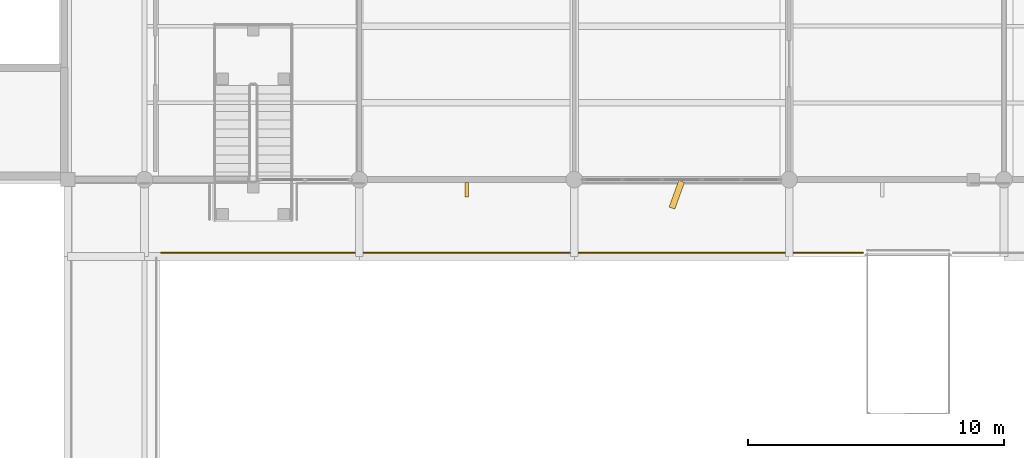
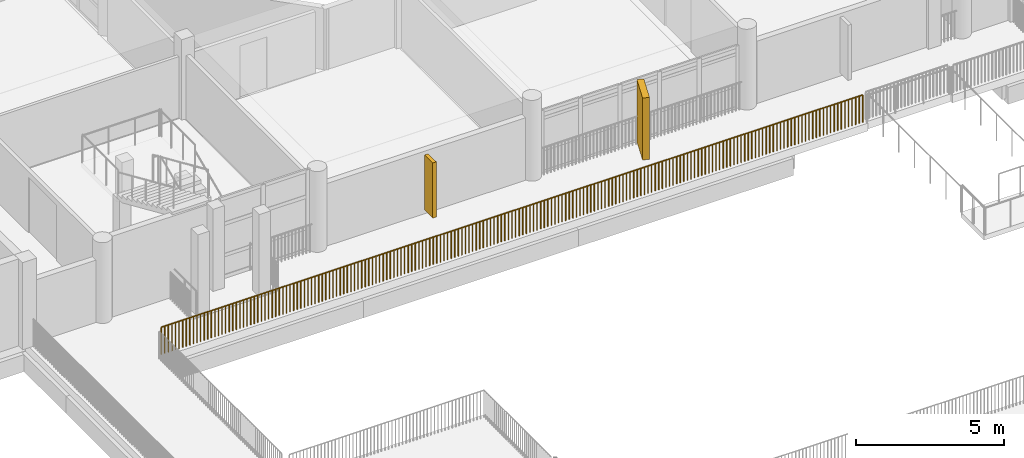
# One storey, part 40 of 51: 1 covering, 1 railing, 1 shading device.
"""IFC4 building model written with IfcOpenShell, lengths in metres."""

from ifc_helpers import new_model, si_unit, direction, frame, origin, origin_2d, place, context, subcontext, project, spatial, rectangle, circle, extrude, material, layer, layer_set, type_object, element, save


model = new_model("IFC4")

# Units and contexts
model_context = context("Model", 3, precision=1e-05, world=origin(), true_north=direction((0.0, 1.0)))
body_context = subcontext(model_context, "Body", "Model", "MODEL_VIEW")
ifc_project = project(units=[si_unit("LENGTHUNIT", "METRE"), si_unit("AREAUNIT", "SQUARE_METRE"), si_unit("VOLUMEUNIT", "CUBIC_METRE"), si_unit("PLANEANGLEUNIT", "RADIAN"), si_unit("MASSUNIT", "GRAM", prefix="KILO")], contexts=[model_context])

# Site, building, storey
site_placement = place(None, origin())
site = spatial("IfcSite", under=ifc_project, at=site_placement, CompositionType="ELEMENT")
building_placement = place(site_placement, origin())
building = spatial("IfcBuilding", under=site, at=building_placement, Name="Vanh Quang Courtyard School", CompositionType="ELEMENT")
storey_placement = place(building_placement, frame((0.0, 0.0, 11.39990234375)))
storey = spatial("IfcBuildingStorey", under=building, at=storey_placement, Name="L03", CompositionType="ELEMENT", Elevation=11.39990234375)

# Covering
ifc_material_1 = material(Name="Board-marked precast concrete C40/50", Category="concrete")
ifc_layer = layer(ifc_material_1, 0.239990234375)
ifc_layer_set = layer_set([ifc_layer], Name="Board-marked precast concrete C40/50")
covering_type = type_object("IfcCoveringType", Name="COV-HOOD-CONC", PredefinedType="CLADDING", material=ifc_layer_set)
covering_placement = place(storey_placement, frame((98.2099609375, 31.81494140625, 0.0), z_axis=(0.0, 0.0, 1.0), x_axis=(-0.340379550213, -0.94028812701, 0.0)))
element("IfcCovering", 1, at=covering_placement, inside=storey, type_object=covering_type, Name="Covering CH-01 (L03)", PredefinedType="CLADDING", context=body_context, shape_type="SweptSolid", body=[
    extrude(rectangle(XDim=1.11669921875, YDim=0.239990234375, at=origin_2d()), origin(), (0.0, 0.0, 1.0), 2.56005859375),
])

# Railing
ifc_material_2 = material(Name="Galvanised painted steel EN 10025-2 S355J2", Category="steel")
railing_type = type_object("IfcRailingType", Name="RAIL-GUARD-1150", PredefinedType="BALUSTRADE", material=ifc_material_2)
railing_placement = place(storey_placement, frame((105.48291015625, 29.5400390625, 0.0)))
element("IfcRailing", 2, at=railing_placement, inside=storey, type_object=railing_type, Name="Railing GR-01 (L03)", PredefinedType="BALUSTRADE", context=body_context, shape_type="SweptSolid", body=[
    extrude(circle(Radius=0.02392578125, at=origin_2d()), frame((0.0, 0.0, 1.1259765625), z_axis=(-1.0, 0.0, 0.0), x_axis=(0.0, -1.0, 0.0)), (0.0, 0.0, 1.0), 27.432861328125),
    extrude(circle(Radius=0.02099609375, at=origin_2d()), origin(), (0.0, 0.0, 1.0), 1.101806640625),
    extrude(circle(Radius=0.02099609375, at=origin_2d()), frame((-0.139892578125, 0.0, 0.0)), (0.0, 0.0, 1.0), 1.101806640625),
    extrude(circle(Radius=0.02099609375, at=origin_2d()), frame((-0.280029296875, 0.0, 0.0)), (0.0, 0.0, 1.0), 1.101806640625),
    extrude(circle(Radius=0.02099609375, at=origin_2d()), frame((-0.419921875, 0.0, 0.0)), (0.0, 0.0, 1.0), 1.101806640625),
    extrude(circle(Radius=0.02099609375, at=origin_2d()), frame((-0.559814453125, 0.0, 0.0)), (0.0, 0.0, 1.0), 1.101806640625),
    extrude(circle(Radius=0.02099609375, at=origin_2d()), frame((-0.69970703125, 0.0, 0.0)), (0.0, 0.0, 1.0), 1.101806640625),
    extrude(circle(Radius=0.02099609375, at=origin_2d()), frame((-0.83984375, 0.0, 0.0)), (0.0, 0.0, 1.0), 1.101806640625),
    extrude(circle(Radius=0.02099609375, at=origin_2d()), frame((-0.979736328125, 0.0, 0.0)), (0.0, 0.0, 1.0), 1.101806640625),
    extrude(circle(Radius=0.02099609375, at=origin_2d()), frame((-1.11962890625, 0.0, 0.0)), (0.0, 0.0, 1.0), 1.101806640625),
    extrude(circle(Radius=0.02099609375, at=origin_2d()), frame((-1.259765625, 0.0, 0.0)), (0.0, 0.0, 1.0), 1.101806640625),
    extrude(circle(Radius=0.02099609375, at=origin_2d()), frame((-1.399658203125, 0.0, 0.0)), (0.0, 0.0, 1.0), 1.101806640625),
    extrude(circle(Radius=0.02099609375, at=origin_2d()), frame((-1.53955078125, 0.0, 0.0)), (0.0, 0.0, 1.0), 1.101806640625),
    extrude(circle(Radius=0.02099609375, at=origin_2d()), frame((-1.679443359375, 0.0, 0.0)), (0.0, 0.0, 1.0), 1.101806640625),
    extrude(circle(Radius=0.02099609375, at=origin_2d()), frame((-1.819580078125, 0.0, 0.0)), (0.0, 0.0, 1.0), 1.101806640625),
    extrude(circle(Radius=0.02099609375, at=origin_2d()), frame((-1.95947265625, 0.0, 0.0)), (0.0, 0.0, 1.0), 1.101806640625),
    extrude(circle(Radius=0.02099609375, at=origin_2d()), frame((-2.099365234375, 0.0, 0.0)), (0.0, 0.0, 1.0), 1.101806640625),
    extrude(circle(Radius=0.02099609375, at=origin_2d()), frame((-2.239501953125, 0.0, 0.0)), (0.0, 0.0, 1.0), 1.101806640625),
    extrude(circle(Radius=0.02099609375, at=origin_2d()), frame((-2.37939453125, 0.0, 0.0)), (0.0, 0.0, 1.0), 1.101806640625),
    extrude(circle(Radius=0.02099609375, at=origin_2d()), frame((-2.519287109375, 0.0, 0.0)), (0.0, 0.0, 1.0), 1.101806640625),
    extrude(circle(Radius=0.02099609375, at=origin_2d()), frame((-2.659423828125, 0.0, 0.0)), (0.0, 0.0, 1.0), 1.101806640625),
    extrude(circle(Radius=0.02099609375, at=origin_2d()), frame((-2.79931640625, 0.0, 0.0)), (0.0, 0.0, 1.0), 1.101806640625),
    extrude(circle(Radius=0.02099609375, at=origin_2d()), frame((-2.939208984375, 0.0, 0.0)), (0.0, 0.0, 1.0), 1.101806640625),
    extrude(circle(Radius=0.02099609375, at=origin_2d()), frame((-3.0791015625, 0.0, 0.0)), (0.0, 0.0, 1.0), 1.101806640625),
    extrude(circle(Radius=0.02099609375, at=origin_2d()), frame((-3.21923828125, 0.0, 0.0)), (0.0, 0.0, 1.0), 1.101806640625),
    extrude(circle(Radius=0.02099609375, at=origin_2d()), frame((-3.359130859375, 0.0, 0.0)), (0.0, 0.0, 1.0), 1.101806640625),
    extrude(circle(Radius=0.02099609375, at=origin_2d()), frame((-3.4990234375, 0.0, 0.0)), (0.0, 0.0, 1.0), 1.101806640625),
    extrude(circle(Radius=0.02099609375, at=origin_2d()), frame((-3.63916015625, 0.0, 0.0)), (0.0, 0.0, 1.0), 1.101806640625),
    extrude(circle(Radius=0.02099609375, at=origin_2d()), frame((-3.779052734375, 0.0, 0.0)), (0.0, 0.0, 1.0), 1.101806640625),
    extrude(circle(Radius=0.02099609375, at=origin_2d()), frame((-3.9189453125, 0.0, 0.0)), (0.0, 0.0, 1.0), 1.101806640625),
    extrude(circle(Radius=0.02099609375, at=origin_2d()), frame((-4.058837890625, 0.0, 0.0)), (0.0, 0.0, 1.0), 1.101806640625),
    extrude(circle(Radius=0.02099609375, at=origin_2d()), frame((-4.198974609375, 0.0, 0.0)), (0.0, 0.0, 1.0), 1.101806640625),
    extrude(circle(Radius=0.02099609375, at=origin_2d()), frame((-4.3388671875, 0.0, 0.0)), (0.0, 0.0, 1.0), 1.101806640625),
    extrude(circle(Radius=0.02099609375, at=origin_2d()), frame((-4.478759765625, 0.0, 0.0)), (0.0, 0.0, 1.0), 1.101806640625),
    extrude(circle(Radius=0.02099609375, at=origin_2d()), frame((-4.618896484375, 0.0, 0.0)), (0.0, 0.0, 1.0), 1.101806640625),
    extrude(circle(Radius=0.02099609375, at=origin_2d()), frame((-4.7587890625, 0.0, 0.0)), (0.0, 0.0, 1.0), 1.101806640625),
    extrude(circle(Radius=0.02099609375, at=origin_2d()), frame((-4.898681640625, 0.0, 0.0)), (0.0, 0.0, 1.0), 1.101806640625),
    extrude(circle(Radius=0.02099609375, at=origin_2d()), frame((-5.03857421875, 0.0, 0.0)), (0.0, 0.0, 1.0), 1.101806640625),
    extrude(circle(Radius=0.02099609375, at=origin_2d()), frame((-5.1787109375, 0.0, 0.0)), (0.0, 0.0, 1.0), 1.101806640625),
    extrude(circle(Radius=0.02099609375, at=origin_2d()), frame((-5.318603515625, 0.0, 0.0)), (0.0, 0.0, 1.0), 1.101806640625),
    extrude(circle(Radius=0.02099609375, at=origin_2d()), frame((-5.45849609375, 0.0, 0.0)), (0.0, 0.0, 1.0), 1.101806640625),
    extrude(circle(Radius=0.02099609375, at=origin_2d()), frame((-5.5986328125, 0.0, 0.0)), (0.0, 0.0, 1.0), 1.101806640625),
    extrude(circle(Radius=0.02099609375, at=origin_2d()), frame((-5.738525390625, 0.0, 0.0)), (0.0, 0.0, 1.0), 1.101806640625),
    extrude(circle(Radius=0.02099609375, at=origin_2d()), frame((-5.87841796875, 0.0, 0.0)), (0.0, 0.0, 1.0), 1.101806640625),
    extrude(circle(Radius=0.02099609375, at=origin_2d()), frame((-6.0185546875, 0.0, 0.0)), (0.0, 0.0, 1.0), 1.101806640625),
    extrude(circle(Radius=0.02099609375, at=origin_2d()), frame((-6.158447265625, 0.0, 0.0)), (0.0, 0.0, 1.0), 1.101806640625),
    extrude(circle(Radius=0.02099609375, at=origin_2d()), frame((-6.29833984375, 0.0, 0.0)), (0.0, 0.0, 1.0), 1.101806640625),
    extrude(circle(Radius=0.02099609375, at=origin_2d()), frame((-6.438232421875, 0.0, 0.0)), (0.0, 0.0, 1.0), 1.101806640625),
    extrude(circle(Radius=0.02099609375, at=origin_2d()), frame((-6.578369140625, 0.0, 0.0)), (0.0, 0.0, 1.0), 1.101806640625),
    extrude(circle(Radius=0.02099609375, at=origin_2d()), frame((-6.71826171875, 0.0, 0.0)), (0.0, 0.0, 1.0), 1.101806640625),
    extrude(circle(Radius=0.02099609375, at=origin_2d()), frame((-6.858154296875, 0.0, 0.0)), (0.0, 0.0, 1.0), 1.101806640625),
    extrude(circle(Radius=0.02099609375, at=origin_2d()), frame((-6.998291015625, 0.0, 0.0)), (0.0, 0.0, 1.0), 1.101806640625),
    extrude(circle(Radius=0.02099609375, at=origin_2d()), frame((-7.13818359375, 0.0, 0.0)), (0.0, 0.0, 1.0), 1.101806640625),
    extrude(circle(Radius=0.02099609375, at=origin_2d()), frame((-7.278076171875, 0.0, 0.0)), (0.0, 0.0, 1.0), 1.101806640625),
    extrude(circle(Radius=0.02099609375, at=origin_2d()), frame((-7.41796875, 0.0, 0.0)), (0.0, 0.0, 1.0), 1.101806640625),
    extrude(circle(Radius=0.02099609375, at=origin_2d()), frame((-7.55810546875, 0.0, 0.0)), (0.0, 0.0, 1.0), 1.101806640625),
    extrude(circle(Radius=0.02099609375, at=origin_2d()), frame((-7.697998046875, 0.0, 0.0)), (0.0, 0.0, 1.0), 1.101806640625),
    extrude(circle(Radius=0.02099609375, at=origin_2d()), frame((-7.837890625, 0.0, 0.0)), (0.0, 0.0, 1.0), 1.101806640625),
    extrude(circle(Radius=0.02099609375, at=origin_2d()), frame((-7.97802734375, 0.0, 0.0)), (0.0, 0.0, 1.0), 1.101806640625),
    extrude(circle(Radius=0.02099609375, at=origin_2d()), frame((-8.117919921875, 0.0, 0.0)), (0.0, 0.0, 1.0), 1.101806640625),
    extrude(circle(Radius=0.02099609375, at=origin_2d()), frame((-8.2578125, 0.0, 0.0)), (0.0, 0.0, 1.0), 1.101806640625),
    extrude(circle(Radius=0.02099609375, at=origin_2d()), frame((-8.397705078125, 0.0, 0.0)), (0.0, 0.0, 1.0), 1.101806640625),
    extrude(circle(Radius=0.02099609375, at=origin_2d()), frame((-8.537841796875, 0.0, 0.0)), (0.0, 0.0, 1.0), 1.101806640625),
    extrude(circle(Radius=0.02099609375, at=origin_2d()), frame((-8.677734375, 0.0, 0.0)), (0.0, 0.0, 1.0), 1.101806640625),
    extrude(circle(Radius=0.02099609375, at=origin_2d()), frame((-8.817626953125, 0.0, 0.0)), (0.0, 0.0, 1.0), 1.101806640625),
    extrude(circle(Radius=0.02099609375, at=origin_2d()), frame((-8.957763671875, 0.0, 0.0)), (0.0, 0.0, 1.0), 1.101806640625),
    extrude(circle(Radius=0.02099609375, at=origin_2d()), frame((-9.09765625, 0.0, 0.0)), (0.0, 0.0, 1.0), 1.101806640625),
    extrude(circle(Radius=0.02099609375, at=origin_2d()), frame((-9.237548828125, 0.0, 0.0)), (0.0, 0.0, 1.0), 1.101806640625),
    extrude(circle(Radius=0.02099609375, at=origin_2d()), frame((-9.37744140625, 0.0, 0.0)), (0.0, 0.0, 1.0), 1.101806640625),
    extrude(circle(Radius=0.02099609375, at=origin_2d()), frame((-9.517578125, 0.0, 0.0)), (0.0, 0.0, 1.0), 1.101806640625),
    extrude(circle(Radius=0.02099609375, at=origin_2d()), frame((-9.657470703125, 0.0, 0.0)), (0.0, 0.0, 1.0), 1.101806640625),
    extrude(circle(Radius=0.02099609375, at=origin_2d()), frame((-9.79736328125, 0.0, 0.0)), (0.0, 0.0, 1.0), 1.101806640625),
    extrude(circle(Radius=0.02099609375, at=origin_2d()), frame((-9.9375, 0.0, 0.0)), (0.0, 0.0, 1.0), 1.101806640625),
    extrude(circle(Radius=0.02099609375, at=origin_2d()), frame((-10.077392578125, 0.0, 0.0)), (0.0, 0.0, 1.0), 1.101806640625),
    extrude(circle(Radius=0.02099609375, at=origin_2d()), frame((-10.21728515625, 0.0, 0.0)), (0.0, 0.0, 1.0), 1.101806640625),
    extrude(circle(Radius=0.02099609375, at=origin_2d()), frame((-10.357421875, 0.0, 0.0)), (0.0, 0.0, 1.0), 1.101806640625),
    extrude(circle(Radius=0.02099609375, at=origin_2d()), frame((-10.497314453125, 0.0, 0.0)), (0.0, 0.0, 1.0), 1.101806640625),
    extrude(circle(Radius=0.02099609375, at=origin_2d()), frame((-10.63720703125, 0.0, 0.0)), (0.0, 0.0, 1.0), 1.101806640625),
    extrude(circle(Radius=0.02099609375, at=origin_2d()), frame((-10.777099609375, 0.0, 0.0)), (0.0, 0.0, 1.0), 1.101806640625),
    extrude(circle(Radius=0.02099609375, at=origin_2d()), frame((-10.917236328125, 0.0, 0.0)), (0.0, 0.0, 1.0), 1.101806640625),
    extrude(circle(Radius=0.02099609375, at=origin_2d()), frame((-11.05712890625, 0.0, 0.0)), (0.0, 0.0, 1.0), 1.101806640625),
    extrude(circle(Radius=0.02099609375, at=origin_2d()), frame((-11.197021484375, 0.0, 0.0)), (0.0, 0.0, 1.0), 1.101806640625),
    extrude(circle(Radius=0.02099609375, at=origin_2d()), frame((-11.337158203125, 0.0, 0.0)), (0.0, 0.0, 1.0), 1.101806640625),
    extrude(circle(Radius=0.02099609375, at=origin_2d()), frame((-11.47705078125, 0.0, 0.0)), (0.0, 0.0, 1.0), 1.101806640625),
    extrude(circle(Radius=0.02099609375, at=origin_2d()), frame((-11.616943359375, 0.0, 0.0)), (0.0, 0.0, 1.0), 1.101806640625),
    extrude(circle(Radius=0.02099609375, at=origin_2d()), frame((-11.7568359375, 0.0, 0.0)), (0.0, 0.0, 1.0), 1.101806640625),
    extrude(circle(Radius=0.02099609375, at=origin_2d()), frame((-11.89697265625, 0.0, 0.0)), (0.0, 0.0, 1.0), 1.101806640625),
    extrude(circle(Radius=0.02099609375, at=origin_2d()), frame((-12.036865234375, 0.0, 0.0)), (0.0, 0.0, 1.0), 1.101806640625),
    extrude(circle(Radius=0.02099609375, at=origin_2d()), frame((-12.1767578125, 0.0, 0.0)), (0.0, 0.0, 1.0), 1.101806640625),
    extrude(circle(Radius=0.02099609375, at=origin_2d()), frame((-12.31689453125, 0.0, 0.0)), (0.0, 0.0, 1.0), 1.101806640625),
    extrude(circle(Radius=0.02099609375, at=origin_2d()), frame((-12.456787109375, 0.0, 0.0)), (0.0, 0.0, 1.0), 1.101806640625),
    extrude(circle(Radius=0.02099609375, at=origin_2d()), frame((-12.5966796875, 0.0, 0.0)), (0.0, 0.0, 1.0), 1.101806640625),
    extrude(circle(Radius=0.02099609375, at=origin_2d()), frame((-12.736572265625, 0.0, 0.0)), (0.0, 0.0, 1.0), 1.101806640625),
    extrude(circle(Radius=0.02099609375, at=origin_2d()), frame((-12.876708984375, 0.0, 0.0)), (0.0, 0.0, 1.0), 1.101806640625),
    extrude(circle(Radius=0.02099609375, at=origin_2d()), frame((-13.0166015625, 0.0, 0.0)), (0.0, 0.0, 1.0), 1.101806640625),
    extrude(circle(Radius=0.02099609375, at=origin_2d()), frame((-13.156494140625, 0.0, 0.0)), (0.0, 0.0, 1.0), 1.101806640625),
    extrude(circle(Radius=0.02099609375, at=origin_2d()), frame((-13.296630859375, 0.0, 0.0)), (0.0, 0.0, 1.0), 1.101806640625),
    extrude(circle(Radius=0.02099609375, at=origin_2d()), frame((-13.4365234375, 0.0, 0.0)), (0.0, 0.0, 1.0), 1.101806640625),
    extrude(circle(Radius=0.02099609375, at=origin_2d()), frame((-13.576416015625, 0.0, 0.0)), (0.0, 0.0, 1.0), 1.101806640625),
    extrude(circle(Radius=0.02099609375, at=origin_2d()), frame((-13.71630859375, 0.0, 0.0)), (0.0, 0.0, 1.0), 1.101806640625),
    extrude(circle(Radius=0.02099609375, at=origin_2d()), frame((-13.8564453125, 0.0, 0.0)), (0.0, 0.0, 1.0), 1.101806640625),
    extrude(circle(Radius=0.02099609375, at=origin_2d()), frame((-13.996337890625, 0.0, 0.0)), (0.0, 0.0, 1.0), 1.101806640625),
    extrude(circle(Radius=0.02099609375, at=origin_2d()), frame((-14.13623046875, 0.0, 0.0)), (0.0, 0.0, 1.0), 1.101806640625),
    extrude(circle(Radius=0.02099609375, at=origin_2d()), frame((-14.2763671875, 0.0, 0.0)), (0.0, 0.0, 1.0), 1.101806640625),
    extrude(circle(Radius=0.02099609375, at=origin_2d()), frame((-14.416259765625, 0.0, 0.0)), (0.0, 0.0, 1.0), 1.101806640625),
    extrude(circle(Radius=0.02099609375, at=origin_2d()), frame((-14.55615234375, 0.0, 0.0)), (0.0, 0.0, 1.0), 1.101806640625),
    extrude(circle(Radius=0.02099609375, at=origin_2d()), frame((-14.6962890625, 0.0, 0.0)), (0.0, 0.0, 1.0), 1.101806640625),
    extrude(circle(Radius=0.02099609375, at=origin_2d()), frame((-14.836181640625, 0.0, 0.0)), (0.0, 0.0, 1.0), 1.101806640625),
    extrude(circle(Radius=0.02099609375, at=origin_2d()), frame((-14.97607421875, 0.0, 0.0)), (0.0, 0.0, 1.0), 1.101806640625),
    extrude(circle(Radius=0.02099609375, at=origin_2d()), frame((-15.115966796875, 0.0, 0.0)), (0.0, 0.0, 1.0), 1.101806640625),
    extrude(circle(Radius=0.02099609375, at=origin_2d()), frame((-15.256103515625, 0.0, 0.0)), (0.0, 0.0, 1.0), 1.101806640625),
    extrude(circle(Radius=0.02099609375, at=origin_2d()), frame((-15.39599609375, 0.0, 0.0)), (0.0, 0.0, 1.0), 1.101806640625),
    extrude(circle(Radius=0.02099609375, at=origin_2d()), frame((-15.535888671875, 0.0, 0.0)), (0.0, 0.0, 1.0), 1.101806640625),
    extrude(circle(Radius=0.02099609375, at=origin_2d()), frame((-15.676025390625, 0.0, 0.0)), (0.0, 0.0, 1.0), 1.101806640625),
    extrude(circle(Radius=0.02099609375, at=origin_2d()), frame((-15.81591796875, 0.0, 0.0)), (0.0, 0.0, 1.0), 1.101806640625),
    extrude(circle(Radius=0.02099609375, at=origin_2d()), frame((-15.955810546875, 0.0, 0.0)), (0.0, 0.0, 1.0), 1.101806640625),
    extrude(circle(Radius=0.02099609375, at=origin_2d()), frame((-16.095703125, 0.0, 0.0)), (0.0, 0.0, 1.0), 1.101806640625),
    extrude(circle(Radius=0.02099609375, at=origin_2d()), frame((-16.23583984375, 0.0, 0.0)), (0.0, 0.0, 1.0), 1.101806640625),
    extrude(circle(Radius=0.02099609375, at=origin_2d()), frame((-16.375732421875, 0.0, 0.0)), (0.0, 0.0, 1.0), 1.101806640625),
    extrude(circle(Radius=0.02099609375, at=origin_2d()), frame((-16.515625, 0.0, 0.0)), (0.0, 0.0, 1.0), 1.101806640625),
    extrude(circle(Radius=0.02099609375, at=origin_2d()), frame((-16.65576171875, 0.0, 0.0)), (0.0, 0.0, 1.0), 1.101806640625),
    extrude(circle(Radius=0.02099609375, at=origin_2d()), frame((-16.795654296875, 0.0, 0.0)), (0.0, 0.0, 1.0), 1.101806640625),
    extrude(circle(Radius=0.02099609375, at=origin_2d()), frame((-16.935546875, 0.0, 0.0)), (0.0, 0.0, 1.0), 1.101806640625),
    extrude(circle(Radius=0.02099609375, at=origin_2d()), frame((-17.075439453125, 0.0, 0.0)), (0.0, 0.0, 1.0), 1.101806640625),
    extrude(circle(Radius=0.02099609375, at=origin_2d()), frame((-17.215576171875, 0.0, 0.0)), (0.0, 0.0, 1.0), 1.101806640625),
    extrude(circle(Radius=0.02099609375, at=origin_2d()), frame((-17.35546875, 0.0, 0.0)), (0.0, 0.0, 1.0), 1.101806640625),
    extrude(circle(Radius=0.02099609375, at=origin_2d()), frame((-17.495361328125, 0.0, 0.0)), (0.0, 0.0, 1.0), 1.101806640625),
    extrude(circle(Radius=0.02099609375, at=origin_2d()), frame((-17.635498046875, 0.0, 0.0)), (0.0, 0.0, 1.0), 1.101806640625),
    extrude(circle(Radius=0.02099609375, at=origin_2d()), frame((-17.775390625, 0.0, 0.0)), (0.0, 0.0, 1.0), 1.101806640625),
    extrude(circle(Radius=0.02099609375, at=origin_2d()), frame((-17.915283203125, 0.0, 0.0)), (0.0, 0.0, 1.0), 1.101806640625),
    extrude(circle(Radius=0.02099609375, at=origin_2d()), frame((-18.055419921875, 0.0, 0.0)), (0.0, 0.0, 1.0), 1.101806640625),
    extrude(circle(Radius=0.02099609375, at=origin_2d()), frame((-18.1953125, 0.0, 0.0)), (0.0, 0.0, 1.0), 1.101806640625),
    extrude(circle(Radius=0.02099609375, at=origin_2d()), frame((-18.335205078125, 0.0, 0.0)), (0.0, 0.0, 1.0), 1.101806640625),
    extrude(circle(Radius=0.02099609375, at=origin_2d()), frame((-18.47509765625, 0.0, 0.0)), (0.0, 0.0, 1.0), 1.101806640625),
    extrude(circle(Radius=0.02099609375, at=origin_2d()), frame((-18.615234375, 0.0, 0.0)), (0.0, 0.0, 1.0), 1.101806640625),
    extrude(circle(Radius=0.02099609375, at=origin_2d()), frame((-18.755126953125, 0.0, 0.0)), (0.0, 0.0, 1.0), 1.101806640625),
    extrude(circle(Radius=0.02099609375, at=origin_2d()), frame((-18.89501953125, 0.0, 0.0)), (0.0, 0.0, 1.0), 1.101806640625),
    extrude(circle(Radius=0.02099609375, at=origin_2d()), frame((-19.03515625, 0.0, 0.0)), (0.0, 0.0, 1.0), 1.101806640625),
    extrude(circle(Radius=0.02099609375, at=origin_2d()), frame((-19.175048828125, 0.0, 0.0)), (0.0, 0.0, 1.0), 1.101806640625),
    extrude(circle(Radius=0.02099609375, at=origin_2d()), frame((-19.31494140625, 0.0, 0.0)), (0.0, 0.0, 1.0), 1.101806640625),
    extrude(circle(Radius=0.02099609375, at=origin_2d()), frame((-19.454833984375, 0.0, 0.0)), (0.0, 0.0, 1.0), 1.101806640625),
    extrude(circle(Radius=0.02099609375, at=origin_2d()), frame((-19.594970703125, 0.0, 0.0)), (0.0, 0.0, 1.0), 1.101806640625),
    extrude(circle(Radius=0.02099609375, at=origin_2d()), frame((-19.73486328125, 0.0, 0.0)), (0.0, 0.0, 1.0), 1.101806640625),
    extrude(circle(Radius=0.02099609375, at=origin_2d()), frame((-19.874755859375, 0.0, 0.0)), (0.0, 0.0, 1.0), 1.101806640625),
    extrude(circle(Radius=0.02099609375, at=origin_2d()), frame((-20.014892578125, 0.0, 0.0)), (0.0, 0.0, 1.0), 1.101806640625),
    extrude(circle(Radius=0.02099609375, at=origin_2d()), frame((-20.15478515625, 0.0, 0.0)), (0.0, 0.0, 1.0), 1.101806640625),
    extrude(circle(Radius=0.02099609375, at=origin_2d()), frame((-20.294677734375, 0.0, 0.0)), (0.0, 0.0, 1.0), 1.101806640625),
    extrude(circle(Radius=0.02099609375, at=origin_2d()), frame((-20.4345703125, 0.0, 0.0)), (0.0, 0.0, 1.0), 1.101806640625),
    extrude(circle(Radius=0.02099609375, at=origin_2d()), frame((-20.57470703125, 0.0, 0.0)), (0.0, 0.0, 1.0), 1.101806640625),
    extrude(circle(Radius=0.02099609375, at=origin_2d()), frame((-20.714599609375, 0.0, 0.0)), (0.0, 0.0, 1.0), 1.101806640625),
    extrude(circle(Radius=0.02099609375, at=origin_2d()), frame((-20.8544921875, 0.0, 0.0)), (0.0, 0.0, 1.0), 1.101806640625),
    extrude(circle(Radius=0.02099609375, at=origin_2d()), frame((-20.99462890625, 0.0, 0.0)), (0.0, 0.0, 1.0), 1.101806640625),
    extrude(circle(Radius=0.02099609375, at=origin_2d()), frame((-21.134521484375, 0.0, 0.0)), (0.0, 0.0, 1.0), 1.101806640625),
    extrude(circle(Radius=0.02099609375, at=origin_2d()), frame((-21.2744140625, 0.0, 0.0)), (0.0, 0.0, 1.0), 1.101806640625),
    extrude(circle(Radius=0.02099609375, at=origin_2d()), frame((-21.414306640625, 0.0, 0.0)), (0.0, 0.0, 1.0), 1.101806640625),
    extrude(circle(Radius=0.02099609375, at=origin_2d()), frame((-21.554443359375, 0.0, 0.0)), (0.0, 0.0, 1.0), 1.101806640625),
    extrude(circle(Radius=0.02099609375, at=origin_2d()), frame((-21.6943359375, 0.0, 0.0)), (0.0, 0.0, 1.0), 1.101806640625),
    extrude(circle(Radius=0.02099609375, at=origin_2d()), frame((-21.834228515625, 0.0, 0.0)), (0.0, 0.0, 1.0), 1.101806640625),
    extrude(circle(Radius=0.02099609375, at=origin_2d()), frame((-21.974365234375, 0.0, 0.0)), (0.0, 0.0, 1.0), 1.101806640625),
    extrude(circle(Radius=0.02099609375, at=origin_2d()), frame((-22.1142578125, 0.0, 0.0)), (0.0, 0.0, 1.0), 1.101806640625),
    extrude(circle(Radius=0.02099609375, at=origin_2d()), frame((-22.254150390625, 0.0, 0.0)), (0.0, 0.0, 1.0), 1.101806640625),
    extrude(circle(Radius=0.02099609375, at=origin_2d()), frame((-22.394287109375, 0.0, 0.0)), (0.0, 0.0, 1.0), 1.101806640625),
    extrude(circle(Radius=0.02099609375, at=origin_2d()), frame((-22.5341796875, 0.0, 0.0)), (0.0, 0.0, 1.0), 1.101806640625),
    extrude(circle(Radius=0.02099609375, at=origin_2d()), frame((-22.674072265625, 0.0, 0.0)), (0.0, 0.0, 1.0), 1.101806640625),
    extrude(circle(Radius=0.02099609375, at=origin_2d()), frame((-22.81396484375, 0.0, 0.0)), (0.0, 0.0, 1.0), 1.101806640625),
    extrude(circle(Radius=0.02099609375, at=origin_2d()), frame((-22.9541015625, 0.0, 0.0)), (0.0, 0.0, 1.0), 1.101806640625),
    extrude(circle(Radius=0.02099609375, at=origin_2d()), frame((-23.093994140625, 0.0, 0.0)), (0.0, 0.0, 1.0), 1.101806640625),
    extrude(circle(Radius=0.02099609375, at=origin_2d()), frame((-23.23388671875, 0.0, 0.0)), (0.0, 0.0, 1.0), 1.101806640625),
    extrude(circle(Radius=0.02099609375, at=origin_2d()), frame((-23.3740234375, 0.0, 0.0)), (0.0, 0.0, 1.0), 1.101806640625),
    extrude(circle(Radius=0.02099609375, at=origin_2d()), frame((-23.513916015625, 0.0, 0.0)), (0.0, 0.0, 1.0), 1.101806640625),
    extrude(circle(Radius=0.02099609375, at=origin_2d()), frame((-23.65380859375, 0.0, 0.0)), (0.0, 0.0, 1.0), 1.101806640625),
    extrude(circle(Radius=0.02099609375, at=origin_2d()), frame((-23.793701171875, 0.0, 0.0)), (0.0, 0.0, 1.0), 1.101806640625),
    extrude(circle(Radius=0.02099609375, at=origin_2d()), frame((-23.933837890625, 0.0, 0.0)), (0.0, 0.0, 1.0), 1.101806640625),
    extrude(circle(Radius=0.02099609375, at=origin_2d()), frame((-24.07373046875, 0.0, 0.0)), (0.0, 0.0, 1.0), 1.101806640625),
    extrude(circle(Radius=0.02099609375, at=origin_2d()), frame((-24.213623046875, 0.0, 0.0)), (0.0, 0.0, 1.0), 1.101806640625),
    extrude(circle(Radius=0.02099609375, at=origin_2d()), frame((-24.353759765625, 0.0, 0.0)), (0.0, 0.0, 1.0), 1.101806640625),
    extrude(circle(Radius=0.02099609375, at=origin_2d()), frame((-24.49365234375, 0.0, 0.0)), (0.0, 0.0, 1.0), 1.101806640625),
    extrude(circle(Radius=0.02099609375, at=origin_2d()), frame((-24.633544921875, 0.0, 0.0)), (0.0, 0.0, 1.0), 1.101806640625),
    extrude(circle(Radius=0.02099609375, at=origin_2d()), frame((-24.7734375, 0.0, 0.0)), (0.0, 0.0, 1.0), 1.101806640625),
    extrude(circle(Radius=0.02099609375, at=origin_2d()), frame((-24.91357421875, 0.0, 0.0)), (0.0, 0.0, 1.0), 1.101806640625),
    extrude(circle(Radius=0.02099609375, at=origin_2d()), frame((-25.053466796875, 0.0, 0.0)), (0.0, 0.0, 1.0), 1.101806640625),
    extrude(circle(Radius=0.02099609375, at=origin_2d()), frame((-25.193359375, 0.0, 0.0)), (0.0, 0.0, 1.0), 1.101806640625),
    extrude(circle(Radius=0.02099609375, at=origin_2d()), frame((-25.33349609375, 0.0, 0.0)), (0.0, 0.0, 1.0), 1.101806640625),
    extrude(circle(Radius=0.02099609375, at=origin_2d()), frame((-25.473388671875, 0.0, 0.0)), (0.0, 0.0, 1.0), 1.101806640625),
    extrude(circle(Radius=0.02099609375, at=origin_2d()), frame((-25.61328125, 0.0, 0.0)), (0.0, 0.0, 1.0), 1.101806640625),
    extrude(circle(Radius=0.02099609375, at=origin_2d()), frame((-25.75341796875, 0.0, 0.0)), (0.0, 0.0, 1.0), 1.101806640625),
    extrude(circle(Radius=0.02099609375, at=origin_2d()), frame((-25.893310546875, 0.0, 0.0)), (0.0, 0.0, 1.0), 1.101806640625),
    extrude(circle(Radius=0.02099609375, at=origin_2d()), frame((-26.033203125, 0.0, 0.0)), (0.0, 0.0, 1.0), 1.101806640625),
    extrude(circle(Radius=0.02099609375, at=origin_2d()), frame((-26.173095703125, 0.0, 0.0)), (0.0, 0.0, 1.0), 1.101806640625),
    extrude(circle(Radius=0.02099609375, at=origin_2d()), frame((-26.313232421875, 0.0, 0.0)), (0.0, 0.0, 1.0), 1.101806640625),
    extrude(circle(Radius=0.02099609375, at=origin_2d()), frame((-26.453125, 0.0, 0.0)), (0.0, 0.0, 1.0), 1.101806640625),
    extrude(circle(Radius=0.02099609375, at=origin_2d()), frame((-26.593017578125, 0.0, 0.0)), (0.0, 0.0, 1.0), 1.101806640625),
    extrude(circle(Radius=0.02099609375, at=origin_2d()), frame((-26.733154296875, 0.0, 0.0)), (0.0, 0.0, 1.0), 1.101806640625),
    extrude(circle(Radius=0.02099609375, at=origin_2d()), frame((-26.873046875, 0.0, 0.0)), (0.0, 0.0, 1.0), 1.101806640625),
    extrude(circle(Radius=0.02099609375, at=origin_2d()), frame((-27.012939453125, 0.0, 0.0)), (0.0, 0.0, 1.0), 1.101806640625),
    extrude(circle(Radius=0.02099609375, at=origin_2d()), frame((-27.15283203125, 0.0, 0.0)), (0.0, 0.0, 1.0), 1.101806640625),
    extrude(circle(Radius=0.02099609375, at=origin_2d()), frame((-27.29296875, 0.0, 0.0)), (0.0, 0.0, 1.0), 1.101806640625),
    extrude(circle(Radius=0.02099609375, at=origin_2d()), frame((-27.432861328125, 0.0, 0.0)), (0.0, 0.0, 1.0), 1.101806640625),
])

# Shading device
shading_device_type = type_object("IfcShadingDeviceType", Name="SHD-FIN-CONCRETE", PredefinedType="USERDEFINED", material=ifc_material_1)
shading_device_placement = place(storey_placement, frame((90.0, 32.0048828125, 0.14990234375), z_axis=(0.0, 0.0, 1.0), x_axis=(-1.0, 0.0, 0.0)))
element("IfcShadingDevice", 3, at=shading_device_placement, inside=storey, type_object=shading_device_type, Name="Solar Shading SH-02 (L03)", ObjectType="Solar Shading SH-02 (L03)", PredefinedType="USERDEFINED", context=body_context, shape_type="SweptSolid", body=[
    extrude(rectangle(XDim=0.139892578125, YDim=0.550048828125, at=origin_2d()), origin(), (0.0, 0.0, 1.0), 2.280029296875),
])

save(model, "model.ifc")
